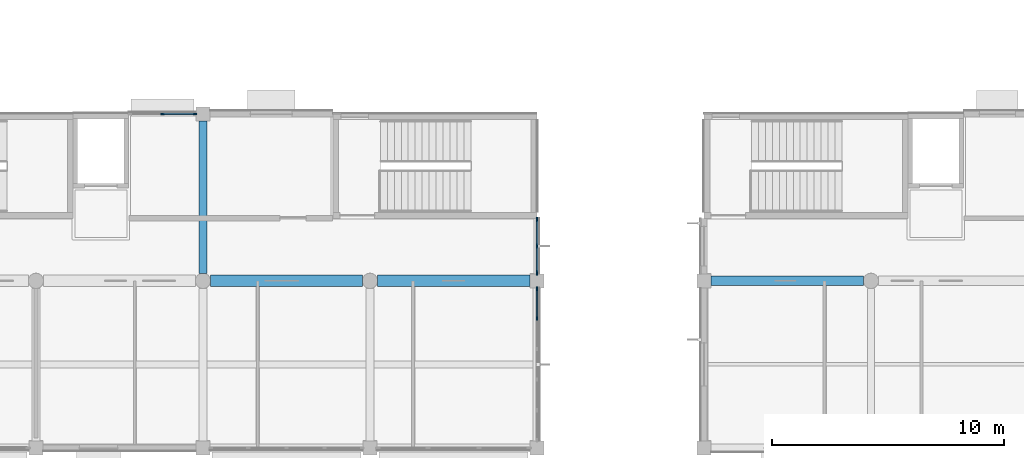
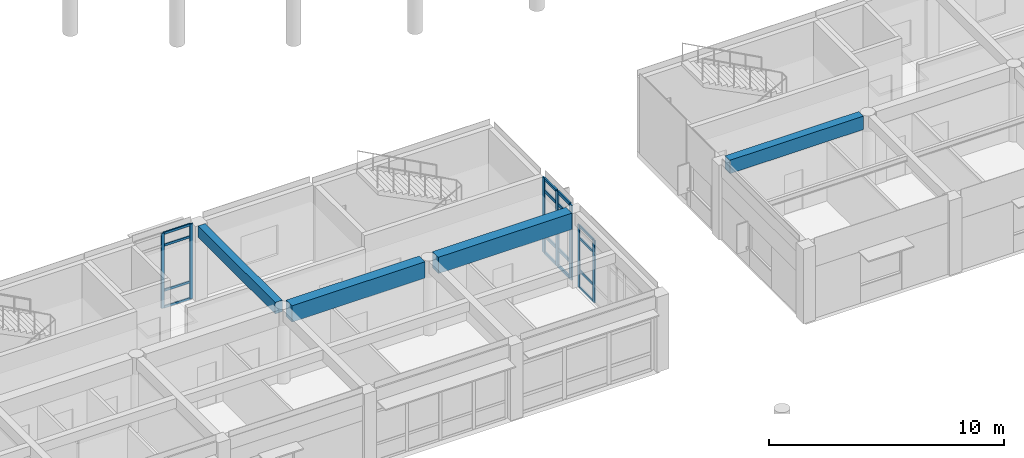
# One storey, part 6 of 55: 23 members, 4 beams, 3 elements without a shape of their own.
"""IFC4 building model written with IfcOpenShell, lengths in metres."""

import ifcopenshell
import ifcopenshell.guid

model = None  # the IFC model being written
_history = None  # IfcOwnerHistory: only IFC2X3 demands one
_inside = {}  # id of a spatial element -> (the spatial element, [elements in it])
_under = {}  # id of a project, library or spatial element -> (it, [spatial elements below it])
_declared = {}  # id of a project -> (the project, [libraries it declares])
_typed = {}  # id of a type object -> (the type object, [elements of that type])
_made_of = {}  # id of a material, layer set ... -> (it, [elements and type objects made of it])


def new_model(schema):
    """Start an empty IFC model of exactly this schema.

    Asked for "IFC4X3", IfcOpenShell would pick the latest addendum, in which some entities
    have other attributes; the version numbers below select the first issue.
    IFC2X3 requires an IfcOwnerHistory on every rooted entity: one is made here for all.
    """
    global model, _history
    if schema == "IFC4X3":
        model = ifcopenshell.file(schema_version=(4, 3, 0, 0))
    else:
        model = ifcopenshell.file(schema=schema)
    _inside.clear()
    _under.clear()
    _declared.clear()
    _typed.clear()
    _made_of.clear()
    _history = None
    if model.schema == "IFC2X3":
        org = make("IfcOrganization", Name="unknown")
        user = make(
            "IfcPersonAndOrganization",
            ThePerson=make("IfcPerson", FamilyName="unknown"),
            TheOrganization=org,
        )
        app = make(
            "IfcApplication",
            ApplicationDeveloper=org,
            Version="unknown",
            ApplicationFullName="unknown",
            ApplicationIdentifier="unknown",
        )
        _history = make(
            "IfcOwnerHistory",
            OwningUser=user,
            OwningApplication=app,
            ChangeAction="ADDED",
            CreationDate=0,
        )
    return model


def make(cls, **values):
    """One entity of the class cls with the attributes given. An attribute that is None is left unset."""
    return model.create_entity(
        cls, **{name: value for name, value in values.items() if value is not None}
    )


def rooted(cls, **values):
    """An entity with a GlobalId (a new one), such as an element, a storey or a relation."""
    return make(cls, GlobalId=ifcopenshell.guid.new(), OwnerHistory=_history, **values)


def si_unit(unit_type, name, prefix=None):
    """IfcSIUnit, for example si_unit("LENGTHUNIT", "METRE", prefix="MILLI")."""
    return make("IfcSIUnit", UnitType=unit_type, Prefix=prefix, Name=name)


def assignment(units):
    """IfcUnitAssignment: the units of a project."""
    return None if units is None else make("IfcUnitAssignment", Units=units)


def point(xyz):
    """IfcCartesianPoint."""
    return None if xyz is None else make("IfcCartesianPoint", Coordinates=xyz)


def direction(xyz):
    """IfcDirection."""
    return None if xyz is None else make("IfcDirection", DirectionRatios=xyz)


def frame(location, z_axis=None, x_axis=None):
    """IfcAxis2Placement3D, a coordinate frame: its origin and axes. An axis left out is left unset."""
    return make(
        "IfcAxis2Placement3D",
        Location=point(location),
        Axis=direction(z_axis),
        RefDirection=direction(x_axis),
    )


def frame_2d(location, x_axis=None):
    """IfcAxis2Placement2D, a coordinate frame in the plane: its origin and x axis."""
    return make(
        "IfcAxis2Placement2D", Location=point(location), RefDirection=direction(x_axis)
    )


def origin():
    """The frame at (0, 0, 0) with its axes left unset."""
    return frame((0.0, 0.0, 0.0))


def origin_2d():
    """The frame at (0, 0) in the plane with its x axis left unset."""
    return frame_2d((0.0, 0.0))


def place(relative_to, where):
    """IfcLocalPlacement: puts the frame where relative to a parent placement (None: the world)."""
    return make(
        "IfcLocalPlacement", PlacementRelTo=relative_to, RelativePlacement=where
    )


def context(
    kind, dimensions, precision=None, world=None, true_north=None, identifier=None
):
    """IfcGeometricRepresentationContext, for example the 3D "Model" context."""
    return make(
        "IfcGeometricRepresentationContext",
        ContextIdentifier=identifier,
        ContextType=kind,
        CoordinateSpaceDimension=dimensions,
        Precision=precision,
        WorldCoordinateSystem=world,
        TrueNorth=true_north,
    )


def subcontext(parent, identifier, kind, view, scale=None):
    """IfcGeometricRepresentationSubContext, for example "Body" below "Model"."""
    return make(
        "IfcGeometricRepresentationSubContext",
        ContextIdentifier=identifier,
        ContextType=kind,
        ParentContext=parent,
        TargetScale=scale,
        TargetView=view,
    )


def project(units=None, contexts=None):
    """IfcProject with its units and contexts."""
    return rooted(
        "IfcProject",
        Name="project",
        RepresentationContexts=contexts,
        UnitsInContext=assignment(units),
    )


def spatial(cls, under=None, at=None, **own):
    """A site, building, storey or space (cls), placed at a placement, below another one or the project."""
    s = rooted(cls, ObjectPlacement=at, **own)
    if under is not None:
        _under.setdefault(under.id(), (under, []))[1].append(s)
    return s


def profile(cls, at=None, kind="AREA", **sizes):
    """A parametric profile (cls). Its sizes go by their IFC names, for example OverallWidth=200.0."""
    return make(cls, ProfileType=kind, Position=at, **sizes)


def rectangle(**sizes):
    """IfcRectangleProfileDef."""
    return profile("IfcRectangleProfileDef", **sizes)


def extrude(swept, where, along, depth):
    """IfcExtrudedAreaSolid: the profile swept, set in the frame where, extruded along a direction by depth."""
    return make(
        "IfcExtrudedAreaSolid",
        SweptArea=swept,
        Position=where,
        ExtrudedDirection=direction(along),
        Depth=depth,
    )


def shape(context_of_items, identifier, shape_type, items):
    """IfcShapeRepresentation: the items that make up one representation, for example the "Body"."""
    return make(
        "IfcShapeRepresentation",
        ContextOfItems=context_of_items,
        RepresentationIdentifier=identifier,
        RepresentationType=shape_type,
        Items=items,
    )


def material(Name=None, Category=None):
    """IfcMaterial."""
    return make("IfcMaterial", Name=Name, Category=Category)


def layer(
    of_material, thickness, ventilated=None, Name=None, Category=None, Priority=None
):
    """IfcMaterialLayer: one layer of a wall or slab, of a material (None: an air gap)."""
    return make(
        "IfcMaterialLayer",
        Material=of_material,
        LayerThickness=thickness,
        IsVentilated=ventilated,
        Name=Name,
        Category=Category,
        Priority=Priority,
    )


def layer_set(layers, Name=None):
    """IfcMaterialLayerSet."""
    return make("IfcMaterialLayerSet", MaterialLayers=layers, LayerSetName=Name)


def material_profile(
    of_material, cross_section, Name=None, Category=None, Priority=None
):
    """IfcMaterialProfile: a cross section and its material."""
    return make(
        "IfcMaterialProfile",
        Name=Name,
        Material=of_material,
        Profile=cross_section,
        Priority=Priority,
        Category=Category,
    )


def profile_set(profiles, Name=None, composite=None):
    """IfcMaterialProfileSet."""
    return make(
        "IfcMaterialProfileSet",
        Name=Name,
        MaterialProfiles=profiles,
        CompositeProfile=composite,
    )


def made_of(thing, what):
    """Note that an element or type object is made of a material, layer set ...; save() writes the relation."""
    if what is not None:
        _made_of.setdefault(what.id(), (what, []))[1].append(thing)
    return thing


def type_object(cls, material=None, **own):
    """A type object (cls), such as IfcWallType, which elements share."""
    return made_of(rooted(cls, **own), material)


def element(
    cls,
    number,
    at=None,
    inside=None,
    cuts=None,
    type_object=None,
    material=None,
    context=None,
    identifier="Body",
    shape_type=None,
    held_by="IfcProductDefinitionShape",
    body=None,
    shapes=None,
    **own,
):
    """One element of the class cls, such as IfcWall. Its Tag is "e" and its number.

    at: its placement. inside: the storey or other place that contains it. cuts: it is an
    opening in that element (IfcRelVoidsElement). A single representation is given by context,
    identifier, shape_type and body (its items); several are given by shapes. held_by: the class
    of the entity that holds the representations. save() writes the other relations.
    """
    e = rooted(cls, Tag="e%d" % number, ObjectPlacement=at, **own)
    if body is not None:
        shapes = [shape(context, identifier, shape_type, body)]
    if shapes is not None:
        e.Representation = make(held_by, Representations=shapes)
    if inside is not None:
        _inside.setdefault(inside.id(), (inside, []))[1].append(e)
    if cuts is not None:
        rooted(
            "IfcRelVoidsElement", RelatingBuildingElement=cuts, RelatedOpeningElement=e
        )
    if type_object is not None:
        _typed.setdefault(type_object.id(), (type_object, []))[1].append(e)
    return made_of(e, material)


def aggregate(whole, parts):
    """IfcRelAggregates: a whole, such as a stair, and the parts it consists of."""
    return rooted("IfcRelAggregates", RelatingObject=whole, RelatedObjects=parts)


def save(model, path):
    """Write the relations noted so far, then the file.

    IfcRelAggregates (storeys below a building ...), IfcRelContainedInSpatialStructure (elements
    in a storey), IfcRelDefinesByType, IfcRelAssociatesMaterial and IfcRelDeclares: one each for
    every whole, place, type object, material and project.
    """
    for whole, parts in _under.values():
        aggregate(whole, parts)
    for where, things in _inside.values():
        rooted(
            "IfcRelContainedInSpatialStructure",
            RelatedElements=things,
            RelatingStructure=where,
        )
    for kind, things in _typed.values():
        rooted("IfcRelDefinesByType", RelatedObjects=things, RelatingType=kind)
    for what, things in _made_of.values():
        rooted("IfcRelAssociatesMaterial", RelatedObjects=things, RelatingMaterial=what)
    for by, libraries in _declared.values():
        rooted("IfcRelDeclares", RelatingContext=by, RelatedDefinitions=libraries)
    model.write(path)


model = new_model("IFC4")

# Units and contexts
model_context = context("Model", 3, precision=1e-05, world=origin(), true_north=direction((0.0, 1.0)))
body_context = subcontext(model_context, "Body", "Model", "MODEL_VIEW")
ifc_project = project(units=[si_unit("LENGTHUNIT", "METRE"), si_unit("AREAUNIT", "SQUARE_METRE"), si_unit("VOLUMEUNIT", "CUBIC_METRE"), si_unit("PLANEANGLEUNIT", "RADIAN"), si_unit("MASSUNIT", "GRAM", prefix="KILO")], contexts=[model_context])

# Site, building, storey
site_placement = place(None, origin())
site = spatial("IfcSite", under=ifc_project, at=site_placement, CompositionType="ELEMENT")
building_placement = place(site_placement, origin())
building = spatial("IfcBuilding", under=site, at=building_placement, Name="Namkhue Oval Health Centre", CompositionType="ELEMENT")
storey_placement = place(building_placement, frame((0.0, 0.0, 9.60009765625)))
storey = spatial("IfcBuildingStorey", under=building, at=storey_placement, Name="L02", CompositionType="ELEMENT", Elevation=9.60009765625)

# Curtain wall, members
ifc_material_1 = material(Name="Anodised aluminium EN AW-6063 T6", Category="aluminium")
ifc_layer_1 = layer(ifc_material_1, 0.159912109375)
ifc_layer_set_1 = layer_set([ifc_layer_1], Name="Anodised aluminium EN AW-6063 T6")
curtain_wall_type_1 = type_object("IfcCurtainWallType", Name="UNITISED CURTAIN WALL M1200", PredefinedType="NOTDEFINED", material=ifc_layer_set_1)
curtain_wall_1_placement = place(storey_placement, origin())
curtain_wall_1 = element("IfcCurtainWall", 1, at=curtain_wall_1_placement, inside=storey, type_object=curtain_wall_type_1, Name="Volume V4 L02 Unitised Curtain Wall 163", PredefinedType="NOTDEFINED")
ifc_material_profile_1 = material_profile(ifc_material_1, rectangle(XDim=0.06494140625, YDim=0.159912109375, at=origin_2d()), Name="ALU 65x160")
ifc_profile_set_1 = profile_set([ifc_material_profile_1], Name="Anodised aluminium EN AW-6063 T6")
member_type_1 = type_object("IfcMemberType", Name="CURTAIN WALL MULLION 65X160", PredefinedType="MULLION", material=ifc_profile_set_1)
member_1_placement = place(storey_placement, frame((86.39990234375, 19.973388671875, 0.0), z_axis=(0.0, 0.0, 1.0), x_axis=(-1.0, 0.0, 0.0)))
member_1 = element("IfcMember", 2, at=member_1_placement, type_object=member_type_1, Name="CW-01 mullion 5", PredefinedType="MULLION", context=body_context, shape_type="SweptSolid", body=[
    extrude(rectangle(XDim=0.06494140625, YDim=0.159912109375, at=origin_2d()), origin(), (0.0, 0.0, 1.0), 3.25),
])
member_2_placement = place(storey_placement, frame((86.39990234375, 21.256591796875, 0.0), z_axis=(0.0, 0.0, 1.0), x_axis=(-1.0, 0.0, 0.0)))
member_2 = element("IfcMember", 3, at=member_2_placement, type_object=member_type_1, Name="CW-01 mullion 6", PredefinedType="MULLION", context=body_context, shape_type="SweptSolid", body=[
    extrude(rectangle(XDim=0.06494140625, YDim=0.159912109375, at=origin_2d()), origin(), (0.0, 0.0, 1.0), 3.25),
])

ifc_layer_2 = layer(ifc_material_1, 0.159912109375)
ifc_layer_set_2 = layer_set([ifc_layer_2], Name="Anodised aluminium EN AW-6063 T6")
curtain_wall_type_2 = type_object("IfcCurtainWallType", Name="UNITISED CURTAIN WALL M1500", PredefinedType="NOTDEFINED", material=ifc_layer_set_2)
curtain_wall_2_placement = place(storey_placement, origin())
curtain_wall_2 = element("IfcCurtainWall", 4, at=curtain_wall_2_placement, inside=storey, type_object=curtain_wall_type_2, Name="Volume V4 L02 Unitised Curtain Wall 165", PredefinedType="NOTDEFINED")
member_3_placement = place(storey_placement, frame((71.656494140625, 28.800048828125, 0.0), z_axis=(0.0, 0.0, 1.0), x_axis=(0.0, -1.0, 0.0)))
member_3 = element("IfcMember", 5, at=member_3_placement, type_object=member_type_1, Name="CW-03 mullion 1", PredefinedType="MULLION", context=body_context, shape_type="SweptSolid", body=[
    extrude(rectangle(XDim=0.06494140625, YDim=0.159912109375, at=origin_2d()), origin(), (0.0, 0.0, 1.0), 3.89990234375),
])
member_4_placement = place(storey_placement, frame((70.2529296875, 28.800048828125, 0.0), z_axis=(0.0, 0.0, 1.0), x_axis=(0.0, -1.0, 0.0)))
member_4 = element("IfcMember", 6, at=member_4_placement, type_object=member_type_1, Name="CW-03 mullion 2", PredefinedType="MULLION", context=body_context, shape_type="SweptSolid", body=[
    extrude(rectangle(XDim=0.06494140625, YDim=0.159912109375, at=origin_2d()), origin(), (0.0, 0.0, 1.0), 3.89990234375),
])

ifc_layer_3 = layer(ifc_material_1, 0.159912109375)
ifc_layer_set_3 = layer_set([ifc_layer_3], Name="Anodised aluminium EN AW-6063 T6")
curtain_wall_type_3 = type_object("IfcCurtainWallType", Name="UNITISED CURTAIN WALL M1350", PredefinedType="NOTDEFINED", material=ifc_layer_set_3)
curtain_wall_3_placement = place(storey_placement, origin())
curtain_wall_3 = element("IfcCurtainWall", 7, at=curtain_wall_3_placement, inside=storey, type_object=curtain_wall_type_3, Name="Volume V4 L02 Unitised Curtain Wall 164", PredefinedType="NOTDEFINED")
ifc_material_profile_2 = material_profile(ifc_material_1, rectangle(XDim=0.074951171875, YDim=0.199951171875, at=origin_2d()), Name="ALU 75x200")
ifc_profile_set_2 = profile_set([ifc_material_profile_2], Name="Anodised aluminium EN AW-6063 T6")
member_type_2 = type_object("IfcMemberType", Name="CURTAIN WALL MULLION 75X200", PredefinedType="MULLION", material=ifc_profile_set_2)
member_5_placement = place(storey_placement, frame((86.39990234375, 21.948486328125, 0.0), z_axis=(0.0, 0.0, 1.0), x_axis=(-1.0, 0.0, 0.0)))
member_5 = element("IfcMember", 8, at=member_5_placement, type_object=member_type_2, Name="CW-02 mullion 1", PredefinedType="MULLION", context=body_context, shape_type="SweptSolid", body=[
    extrude(rectangle(XDim=0.074951171875, YDim=0.199951171875, at=origin_2d()), origin(), (0.0, 0.0, 1.0), 3.89990234375),
])
member_6_placement = place(storey_placement, frame((86.39990234375, 23.096923828125, 0.0), z_axis=(0.0, 0.0, 1.0), x_axis=(-1.0, 0.0, 0.0)))
member_6 = element("IfcMember", 9, at=member_6_placement, type_object=member_type_2, Name="CW-02 mullion 2", PredefinedType="MULLION", context=body_context, shape_type="SweptSolid", body=[
    extrude(rectangle(XDim=0.074951171875, YDim=0.199951171875, at=origin_2d()), origin(), (0.0, 0.0, 1.0), 3.89990234375),
])
member_7_placement = place(storey_placement, frame((86.39990234375, 24.24560546875, 0.0), z_axis=(0.0, 0.0, 1.0), x_axis=(-1.0, 0.0, 0.0)))
member_7 = element("IfcMember", 10, at=member_7_placement, type_object=member_type_2, Name="CW-02 mullion 3", PredefinedType="MULLION", context=body_context, shape_type="SweptSolid", body=[
    extrude(rectangle(XDim=0.074951171875, YDim=0.199951171875, at=origin_2d()), origin(), (0.0, 0.0, 1.0), 3.89990234375),
])

# Member
ifc_material_profile_3 = material_profile(ifc_material_1, rectangle(XDim=0.06494140625, YDim=0.1201171875, at=origin_2d()), Name="ALU 65x120")
ifc_profile_set_3 = profile_set([ifc_material_profile_3], Name="Anodised aluminium EN AW-6063 T6")
member_type_3 = type_object("IfcMemberType", Name="CURTAIN WALL TRANSOM 65X120", PredefinedType="USERDEFINED", material=ifc_profile_set_3)
member_8_placement = place(storey_placement, frame((86.39990234375, 20.005859375, 0.032470703125), z_axis=(0.0, 1.0, 0.0), x_axis=(-1.0, 0.0, 0.0)))
member_8 = element("IfcMember", 11, at=member_8_placement, type_object=member_type_3, Name="CW-01 transom 5.1", ObjectType="TRANSOM", PredefinedType="USERDEFINED", context=body_context, shape_type="SweptSolid", body=[
    extrude(rectangle(XDim=0.06494140625, YDim=0.1201171875, at=origin_2d()), origin(), (0.0, 0.0, 1.0), 1.21826171875),
])

member_9_placement = place(storey_placement, frame((86.39990234375, 20.005859375, 0.89990234375), z_axis=(0.0, 1.0, 0.0), x_axis=(-1.0, 0.0, 0.0)))
member_9 = element("IfcMember", 12, at=member_9_placement, type_object=member_type_3, Name="CW-01 transom 5.2", ObjectType="TRANSOM", PredefinedType="USERDEFINED", context=body_context, shape_type="SweptSolid", body=[
    extrude(rectangle(XDim=0.06494140625, YDim=0.1201171875, at=origin_2d()), origin(), (0.0, 0.0, 1.0), 1.21826171875),
])

member_10_placement = place(storey_placement, frame((86.39990234375, 20.005859375, 2.599853515625), z_axis=(0.0, 1.0, 0.0), x_axis=(-1.0, 0.0, 0.0)))
member_10 = element("IfcMember", 13, at=member_10_placement, type_object=member_type_3, Name="CW-01 transom 5.3", ObjectType="TRANSOM", PredefinedType="USERDEFINED", context=body_context, shape_type="SweptSolid", body=[
    extrude(rectangle(XDim=0.06494140625, YDim=0.1201171875, at=origin_2d()), origin(), (0.0, 0.0, 1.0), 1.21826171875),
])

member_11_placement = place(storey_placement, frame((86.39990234375, 20.005859375, 3.21728515625), z_axis=(0.0, 1.0, 0.0), x_axis=(-1.0, 0.0, 0.0)))
member_11 = element("IfcMember", 14, at=member_11_placement, type_object=member_type_3, Name="CW-01 transom 5.4", ObjectType="TRANSOM", PredefinedType="USERDEFINED", context=body_context, shape_type="SweptSolid", body=[
    extrude(rectangle(XDim=0.06494140625, YDim=0.1201171875, at=origin_2d()), origin(), (0.0, 0.0, 1.0), 1.21826171875),
])

aggregate(curtain_wall_1, [member_1, member_2, member_8, member_9, member_10, member_11])

member_12_placement = place(storey_placement, frame((71.6240234375, 28.800048828125, 0.032470703125), z_axis=(-1.0, 0.0, 0.0), x_axis=(0.0, -1.0, 0.0)))
member_12 = element("IfcMember", 15, at=member_12_placement, type_object=member_type_3, Name="CW-03 transom 1.1", ObjectType="TRANSOM", PredefinedType="USERDEFINED", context=body_context, shape_type="SweptSolid", body=[
    extrude(rectangle(XDim=0.06494140625, YDim=0.1201171875, at=origin_2d()), origin(), (0.0, 0.0, 1.0), 1.338623046875),
])

member_13_placement = place(storey_placement, frame((71.6240234375, 28.800048828125, 0.89990234375), z_axis=(-1.0, 0.0, 0.0), x_axis=(0.0, -1.0, 0.0)))
member_13 = element("IfcMember", 16, at=member_13_placement, type_object=member_type_3, Name="CW-03 transom 1.2", ObjectType="TRANSOM", PredefinedType="USERDEFINED", context=body_context, shape_type="SweptSolid", body=[
    extrude(rectangle(XDim=0.06494140625, YDim=0.1201171875, at=origin_2d()), origin(), (0.0, 0.0, 1.0), 1.338623046875),
])

member_14_placement = place(storey_placement, frame((71.6240234375, 28.800048828125, 3.25), z_axis=(-1.0, 0.0, 0.0), x_axis=(0.0, -1.0, 0.0)))
member_14 = element("IfcMember", 17, at=member_14_placement, type_object=member_type_3, Name="CW-03 transom 1.3", ObjectType="TRANSOM", PredefinedType="USERDEFINED", context=body_context, shape_type="SweptSolid", body=[
    extrude(rectangle(XDim=0.06494140625, YDim=0.1201171875, at=origin_2d()), origin(), (0.0, 0.0, 1.0), 1.338623046875),
])

member_15_placement = place(storey_placement, frame((71.6240234375, 28.800048828125, 3.867431640625), z_axis=(-1.0, 0.0, 0.0), x_axis=(0.0, -1.0, 0.0)))
member_15 = element("IfcMember", 18, at=member_15_placement, type_object=member_type_3, Name="CW-03 transom 1.4", ObjectType="TRANSOM", PredefinedType="USERDEFINED", context=body_context, shape_type="SweptSolid", body=[
    extrude(rectangle(XDim=0.06494140625, YDim=0.1201171875, at=origin_2d()), origin(), (0.0, 0.0, 1.0), 1.338623046875),
])

aggregate(curtain_wall_2, [member_3, member_4, member_12, member_13, member_14, member_15])

ifc_material_profile_4 = material_profile(ifc_material_1, rectangle(XDim=0.074951171875, YDim=0.14990234375, at=origin_2d()), Name="ALU 75x150")
ifc_profile_set_4 = profile_set([ifc_material_profile_4], Name="Anodised aluminium EN AW-6063 T6")
member_type_4 = type_object("IfcMemberType", Name="CURTAIN WALL TRANSOM 75X150", PredefinedType="USERDEFINED", material=ifc_profile_set_4)
member_16_placement = place(storey_placement, frame((86.39990234375, 21.986083984375, 0.037353515625), z_axis=(0.0, 1.0, 0.0), x_axis=(-1.0, 0.0, 0.0)))
member_16 = element("IfcMember", 19, at=member_16_placement, type_object=member_type_4, Name="CW-02 transom 1.1", ObjectType="TRANSOM", PredefinedType="USERDEFINED", context=body_context, shape_type="SweptSolid", body=[
    extrude(rectangle(XDim=0.074951171875, YDim=0.14990234375, at=origin_2d()), origin(), (0.0, 0.0, 1.0), 1.073486328125),
])

member_17_placement = place(storey_placement, frame((86.39990234375, 21.986083984375, 0.89990234375), z_axis=(0.0, 1.0, 0.0), x_axis=(-1.0, 0.0, 0.0)))
member_17 = element("IfcMember", 20, at=member_17_placement, type_object=member_type_4, Name="CW-02 transom 1.2", ObjectType="TRANSOM", PredefinedType="USERDEFINED", context=body_context, shape_type="SweptSolid", body=[
    extrude(rectangle(XDim=0.074951171875, YDim=0.14990234375, at=origin_2d()), origin(), (0.0, 0.0, 1.0), 1.073486328125),
])

member_18_placement = place(storey_placement, frame((86.39990234375, 21.986083984375, 3.25), z_axis=(0.0, 1.0, 0.0), x_axis=(-1.0, 0.0, 0.0)))
member_18 = element("IfcMember", 21, at=member_18_placement, type_object=member_type_4, Name="CW-02 transom 1.3", ObjectType="TRANSOM", PredefinedType="USERDEFINED", context=body_context, shape_type="SweptSolid", body=[
    extrude(rectangle(XDim=0.074951171875, YDim=0.14990234375, at=origin_2d()), origin(), (0.0, 0.0, 1.0), 1.073486328125),
])

member_19_placement = place(storey_placement, frame((86.39990234375, 21.986083984375, 3.8623046875), z_axis=(0.0, 1.0, 0.0), x_axis=(-1.0, 0.0, 0.0)))
member_19 = element("IfcMember", 22, at=member_19_placement, type_object=member_type_4, Name="CW-02 transom 1.4", ObjectType="TRANSOM", PredefinedType="USERDEFINED", context=body_context, shape_type="SweptSolid", body=[
    extrude(rectangle(XDim=0.074951171875, YDim=0.14990234375, at=origin_2d()), origin(), (0.0, 0.0, 1.0), 1.073486328125),
])

member_20_placement = place(storey_placement, frame((86.39990234375, 23.134521484375, 0.037353515625), z_axis=(0.0, 1.0, 0.0), x_axis=(-1.0, 0.0, 0.0)))
member_20 = element("IfcMember", 23, at=member_20_placement, type_object=member_type_4, Name="CW-02 transom 2.1", ObjectType="TRANSOM", PredefinedType="USERDEFINED", context=body_context, shape_type="SweptSolid", body=[
    extrude(rectangle(XDim=0.074951171875, YDim=0.14990234375, at=origin_2d()), origin(), (0.0, 0.0, 1.0), 1.073486328125),
])

member_21_placement = place(storey_placement, frame((86.39990234375, 23.134521484375, 0.89990234375), z_axis=(0.0, 1.0, 0.0), x_axis=(-1.0, 0.0, 0.0)))
member_21 = element("IfcMember", 24, at=member_21_placement, type_object=member_type_4, Name="CW-02 transom 2.2", ObjectType="TRANSOM", PredefinedType="USERDEFINED", context=body_context, shape_type="SweptSolid", body=[
    extrude(rectangle(XDim=0.074951171875, YDim=0.14990234375, at=origin_2d()), origin(), (0.0, 0.0, 1.0), 1.073486328125),
])

member_22_placement = place(storey_placement, frame((86.39990234375, 23.134521484375, 3.25), z_axis=(0.0, 1.0, 0.0), x_axis=(-1.0, 0.0, 0.0)))
member_22 = element("IfcMember", 25, at=member_22_placement, type_object=member_type_4, Name="CW-02 transom 2.3", ObjectType="TRANSOM", PredefinedType="USERDEFINED", context=body_context, shape_type="SweptSolid", body=[
    extrude(rectangle(XDim=0.074951171875, YDim=0.14990234375, at=origin_2d()), origin(), (0.0, 0.0, 1.0), 1.073486328125),
])

member_23_placement = place(storey_placement, frame((86.39990234375, 23.134521484375, 3.8623046875), z_axis=(0.0, 1.0, 0.0), x_axis=(-1.0, 0.0, 0.0)))
member_23 = element("IfcMember", 26, at=member_23_placement, type_object=member_type_4, Name="CW-02 transom 2.4", ObjectType="TRANSOM", PredefinedType="USERDEFINED", context=body_context, shape_type="SweptSolid", body=[
    extrude(rectangle(XDim=0.074951171875, YDim=0.14990234375, at=origin_2d()), origin(), (0.0, 0.0, 1.0), 1.073486328125),
])

aggregate(curtain_wall_3, [member_5, member_6, member_7, member_16, member_17, member_18, member_19, member_20, member_21, member_22, member_23])

# Beams
ifc_material_2 = material(Name="Reinforced concrete C30/37 (TCVN B35)", Category="concrete")
ifc_material_profile_5 = material_profile(ifc_material_2, rectangle(XDim=0.35009765625, YDim=0.60009765625, at=origin_2d()), Name="RC 350x600")
ifc_profile_set_5 = profile_set([ifc_material_profile_5], Name="Reinforced concrete C30/37 (TCVN B35)")
beam_type_1 = type_object("IfcBeamType", Name="FLOOR BEAM RC 350X600", PredefinedType="BEAM", material=ifc_profile_set_5)
beam_1_placement = place(storey_placement, frame((72.0, 21.925048828125, 3.599853515625), z_axis=(0.0, 1.0, 0.0), x_axis=(-1.0, 0.0, 0.0)))
element("IfcBeam", 27, at=beam_1_placement, inside=storey, type_object=beam_type_1, Name="Volume V4 L03 Beam 11/D-E", PredefinedType="BEAM", context=body_context, shape_type="SweptSolid", body=[
    extrude(rectangle(XDim=0.35009765625, YDim=0.60009765625, at=origin_2d()), origin(), (0.0, 0.0, 1.0), 6.574951171875),
])
ifc_material_3 = material(Name="Reinforced concrete C35/45 (TCVN B40)", Category="concrete")
ifc_material_profile_6 = material_profile(ifc_material_3, rectangle(XDim=0.39990234375, YDim=0.699951171875, at=origin_2d()), Name="RC 400x700")
ifc_profile_set_6 = profile_set([ifc_material_profile_6], Name="Reinforced concrete C35/45 (TCVN B40)")
beam_type_2 = type_object("IfcBeamType", Name="PRIMARY GIRDER RC 400X700", PredefinedType="USERDEFINED", material=ifc_profile_set_6)
beam_2_placement = place(storey_placement, frame((93.89990234375, 21.60009765625, 3.534912109375), z_axis=(1.0, 0.0, 0.0), x_axis=(0.0, 1.0, 0.0)))
element("IfcBeam", 28, at=beam_2_placement, inside=storey, type_object=beam_type_2, Name="Volume V5 L03 Girder D/14-15", ObjectType="GIRDER", PredefinedType="USERDEFINED", context=body_context, shape_type="SweptSolid", body=[
    extrude(rectangle(XDim=0.39990234375, YDim=0.699951171875, at=origin_2d()), origin(), (0.0, 0.0, 1.0), 6.5751953125),
])
ifc_material_profile_7 = material_profile(ifc_material_3, rectangle(XDim=0.5, YDim=0.85009765625, at=origin_2d()), Name="RC 500x850")
ifc_profile_set_7 = profile_set([ifc_material_profile_7], Name="Reinforced concrete C35/45 (TCVN B40)")
beam_type_3 = type_object("IfcBeamType", Name="PRIMARY GIRDER RC 500X850", PredefinedType="USERDEFINED", material=ifc_profile_set_7)
beam_3_placement = place(storey_placement, frame((72.324951171875, 21.60009765625, 3.474853515625), z_axis=(1.0, 0.0, 0.0), x_axis=(0.0, 1.0, 0.0)))
element("IfcBeam", 29, at=beam_3_placement, inside=storey, type_object=beam_type_3, Name="Volume V4 L03 Girder D/11-12", ObjectType="GIRDER", PredefinedType="USERDEFINED", context=body_context, shape_type="SweptSolid", body=[
    extrude(rectangle(XDim=0.5, YDim=0.85009765625, at=origin_2d()), origin(), (0.0, 0.0, 1.0), 6.550048828125),
])
beam_4_placement = place(storey_placement, frame((79.52490234375, 21.60009765625, 3.474853515625), z_axis=(1.0, 0.0, 0.0), x_axis=(0.0, 1.0, 0.0)))
element("IfcBeam", 30, at=beam_4_placement, inside=storey, type_object=beam_type_3, Name="Volume V4 L03 Girder D/12-13", ObjectType="GIRDER", PredefinedType="USERDEFINED", context=body_context, shape_type="SweptSolid", body=[
    extrude(rectangle(XDim=0.5, YDim=0.85009765625, at=origin_2d()), origin(), (0.0, 0.0, 1.0), 6.5751953125),
])

save(model, "model.ifc")
